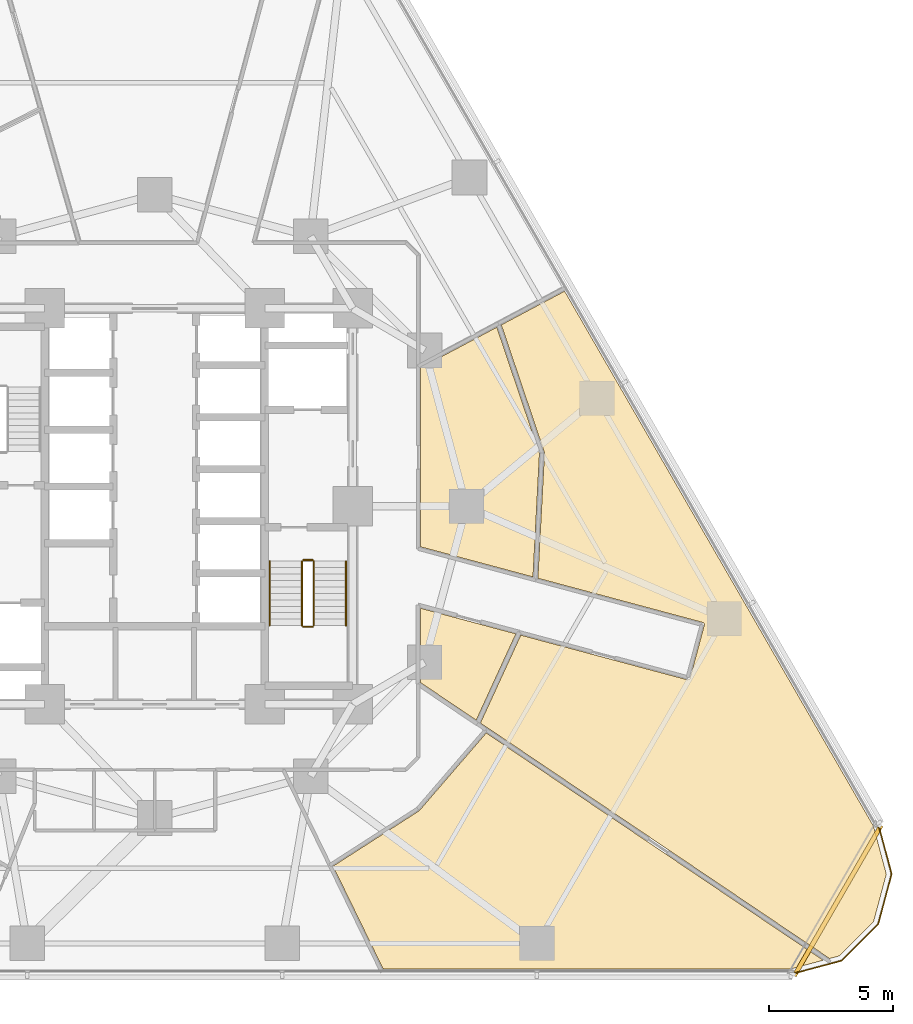
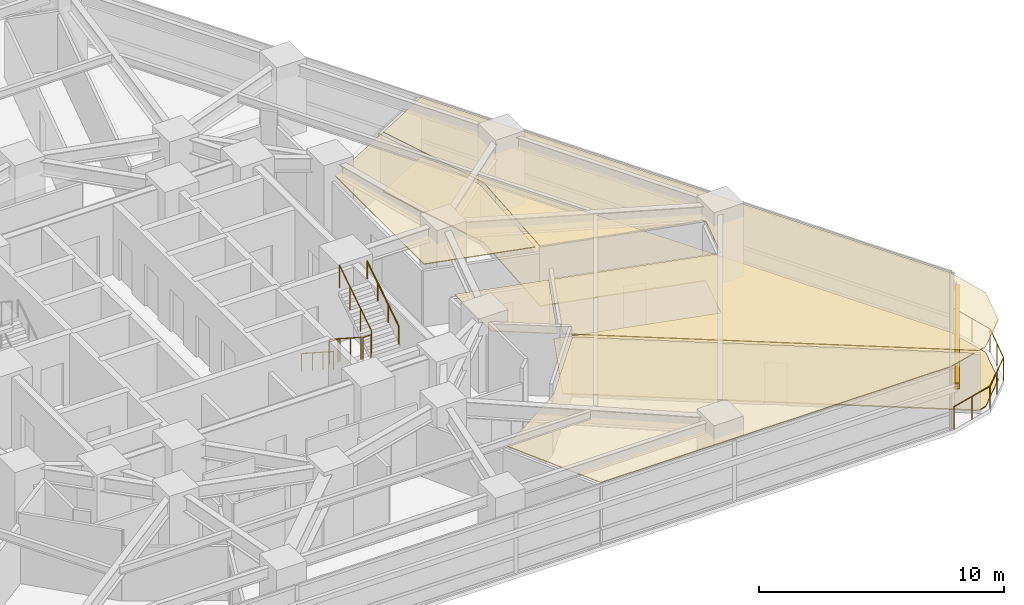
# One storey, part 15 of 16: 7 railings, 5 coverings, 1 shading device.
"""IFC4 building model written with IfcOpenShell, lengths in metres."""

from ifc_helpers import new_model, si_unit, direction, frame, origin, origin_2d, place, context, subcontext, project, spatial, polyline, rectangle, circle, outline, extrude, material, layer, layer_set, type_object, element, save


model = new_model("IFC4")

# Units and contexts
model_context = context("Model", 3, precision=1e-05, world=origin(), true_north=direction((0.0, 1.0)))
body_context = subcontext(model_context, "Body", "Model", "MODEL_VIEW")
ifc_project = project(units=[si_unit("LENGTHUNIT", "METRE"), si_unit("AREAUNIT", "SQUARE_METRE"), si_unit("VOLUMEUNIT", "CUBIC_METRE"), si_unit("PLANEANGLEUNIT", "RADIAN"), si_unit("MASSUNIT", "GRAM", prefix="KILO")], contexts=[model_context])

# Site, building, storey
site_placement = place(None, origin())
site = spatial("IfcSite", under=ifc_project, at=site_placement, CompositionType="ELEMENT")
building_placement = place(site_placement, origin())
building = spatial("IfcBuilding", under=site, at=building_placement, Name="Terralouvre Media Tower", CompositionType="ELEMENT")
storey_placement = place(building_placement, frame((0.0, 0.0, 40.800048828125)))
storey = spatial("IfcBuildingStorey", under=building, at=storey_placement, Name="L09", CompositionType="ELEMENT", Elevation=40.800048828125)

# Coverings
ifc_material_1 = material(Name="Resilient elastomer acoustic broadcast studio flooring")
ifc_layer_1 = layer(ifc_material_1, 0.050048828125, Name="Broadcast Studio Acoustic Floating Floor FL-AC1")
ifc_layer_set_1 = layer_set([ifc_layer_1], Name="Resilient elastomer acoustic broadcast studio flooring")
covering_type_1 = type_object("IfcCoveringType", Name="Broadcast Studio Acoustic Floating Floor FL-AC1", PredefinedType="FLOORING", material=ifc_layer_set_1)
covering_1_placement = place(storey_placement, origin())
element("IfcCovering", 1, at=covering_1_placement, inside=storey, type_object=covering_type_1, Name="L09 Creative Set Workshop 4 Acoustic Floating Floor", PredefinedType="FLOORING", context=body_context, shape_type="SweptSolid", body=[
    extrude(outline(polyline([(15.747802734375, 2.18505859375), (15.750244140625, 2.17578125), (15.752197265625, 2.16650390625), (15.7529296875, 2.1572265625), (15.7529296875, 2.147705078125), (15.487060546875, -2.907470703125), (22.140869140625, -4.6904296875), (22.150146484375, -4.693359375), (22.1591796875, -4.697265625), (22.167724609375, -4.7021484375), (22.17578125, -4.707763671875), (22.183349609375, -4.714111328125), (22.190185546875, -4.72119140625), (22.1962890625, -4.728759765625), (22.20166015625, -4.737060546875), (22.2060546875, -4.74560546875), (22.209716796875, -4.7548828125), (22.21240234375, -4.764404296875), (22.214111328125, -4.77392578125), (22.21484375, -4.78369140625), (22.21484375, -4.793701171875), (22.213623046875, -4.80322265625), (22.211669921875, -4.81298828125), (21.6416015625, -6.93798828125), (21.638671875, -6.947265625), (21.634765625, -6.956298828125), (21.6298828125, -6.96484375), (21.624267578125, -6.972900390625), (21.617919921875, -6.98046875), (21.61083984375, -6.9873046875), (21.603271484375, -6.993408203125), (21.594970703125, -6.99853515625), (21.586181640625, -7.003173828125), (21.5771484375, -7.006591796875), (21.567626953125, -7.009521484375), (21.55810546875, -7.010986328125), (21.54833984375, -7.011962890625), (21.538330078125, -7.01171875), (21.52880859375, -7.0107421875), (21.51904296875, -7.008544921875), (14.795654296875, -5.206298828125), (13.164306640625, -8.7587890625), (13.43994140625, -8.945068359375), (27.279052734375, -18.279541015625), (27.6611328125, -18.17724609375), (29.060302734375, -16.7783203125), (29.572509765625, -14.866943359375), (29.052734375, -12.926513671875), (16.568603515625, 8.6962890625), (14.0078125, 7.334716796875), (15.747802734375, 2.18505859375)])), origin(), (0.0, 0.0, 1.0), 0.050048828125),
])
ifc_material_2 = material(Name="Perforated aluminium acoustic ceiling baffle", Category="aluminium")
ifc_layer_2 = layer(ifc_material_2, 0.0400390625, Name="Perforated Acoustic Metal Tile Ceiling CL-AC1")
ifc_layer_set_2 = layer_set([ifc_layer_2], Name="Perforated aluminium acoustic ceiling baffle")
covering_type_2 = type_object("IfcCoveringType", Name="Perforated Acoustic Metal Tile Ceiling CL-AC1", PredefinedType="CEILING", material=ifc_layer_set_2)
covering_2_placement = place(storey_placement, frame((0.0, 0.0, 2.97998046875)))
element("IfcCovering", 2, at=covering_2_placement, inside=storey, type_object=covering_type_2, Name="L09 Preview Screening Cinema 3 Acoustic Ceiling", PredefinedType="CEILING", context=body_context, shape_type="SweptSolid", body=[
    extrude(outline(polyline([(14.599609375, -5.15380859375), (10.75, -4.122314453125), (10.75, -7.130859375), (12.996337890625, -8.645263671875), (14.599609375, -5.15380859375)])), origin(), (0.0, 0.0, 1.0), 0.0400390625),
])
covering_3_placement = place(storey_placement, frame((0.0, 0.0, 2.97998046875)))
element("IfcCovering", 3, at=covering_3_placement, inside=storey, type_object=covering_type_2, Name="L09 Creative Set Workshop 4 Acoustic Ceiling", PredefinedType="CEILING", context=body_context, shape_type="SweptSolid", body=[
    extrude(outline(polyline([(15.747802734375, 2.18505859375), (15.750244140625, 2.17578125), (15.752197265625, 2.16650390625), (15.7529296875, 2.1572265625), (15.7529296875, 2.147705078125), (15.487060546875, -2.907470703125), (22.140869140625, -4.6904296875), (22.150146484375, -4.693359375), (22.1591796875, -4.697265625), (22.167724609375, -4.7021484375), (22.17578125, -4.707763671875), (22.183349609375, -4.714111328125), (22.190185546875, -4.72119140625), (22.1962890625, -4.728759765625), (22.20166015625, -4.737060546875), (22.2060546875, -4.74560546875), (22.209716796875, -4.7548828125), (22.21240234375, -4.764404296875), (22.214111328125, -4.77392578125), (22.21484375, -4.78369140625), (22.21484375, -4.793701171875), (22.213623046875, -4.80322265625), (22.211669921875, -4.81298828125), (21.6416015625, -6.93798828125), (21.638671875, -6.947265625), (21.634765625, -6.956298828125), (21.6298828125, -6.96484375), (21.624267578125, -6.972900390625), (21.617919921875, -6.98046875), (21.61083984375, -6.9873046875), (21.603271484375, -6.993408203125), (21.594970703125, -6.99853515625), (21.586181640625, -7.003173828125), (21.5771484375, -7.006591796875), (21.567626953125, -7.009521484375), (21.55810546875, -7.010986328125), (21.54833984375, -7.011962890625), (21.538330078125, -7.01171875), (21.52880859375, -7.0107421875), (21.51904296875, -7.008544921875), (14.795654296875, -5.206298828125), (13.164306640625, -8.7587890625), (13.43994140625, -8.945068359375), (27.279052734375, -18.279541015625), (27.6611328125, -18.17724609375), (29.060302734375, -16.7783203125), (29.572509765625, -14.866943359375), (29.052734375, -12.926513671875), (16.568603515625, 8.6962890625), (14.0078125, 7.334716796875), (15.747802734375, 2.18505859375)])), origin(), (0.0, 0.0, 1.0), 0.0400390625),
])
covering_4_placement = place(storey_placement, frame((0.0, 0.0, 2.97998046875)))
element("IfcCovering", 4, at=covering_4_placement, inside=storey, type_object=covering_type_2, Name="L09 Editorial Collaborative Open Office 5 Acoustic Ceiling", PredefinedType="CEILING", context=body_context, shape_type="SweptSolid", body=[
    extrude(outline(polyline([(13.8291015625, 7.239501953125), (10.75, 5.602783203125), (10.75, -1.63818359375), (15.28955078125, -2.8544921875), (15.552001953125, 2.13916015625), (13.8291015625, 7.239501953125)])), origin(), (0.0, 0.0, 1.0), 0.0400390625),
])
covering_5_placement = place(storey_placement, frame((0.0, 0.0, 2.97998046875)))
element("IfcCovering", 5, at=covering_5_placement, inside=storey, type_object=covering_type_2, Name="L09 Production Catering Galley 10 Acoustic Ceiling", PredefinedType="CEILING", context=body_context, shape_type="SweptSolid", body=[
    extrude(outline(polyline([(10.703857421875, -12.291259765625), (10.697021484375, -12.298095703125), (10.68994140625, -12.304443359375), (10.68212890625, -12.31005859375), (7.205810546875, -14.5458984375), (9.23046875, -18.697021484375), (25.720703125, -18.697021484375), (27.023193359375, -18.34814453125), (13.401611328125, -9.16064453125), (10.703857421875, -12.291259765625)])), origin(), (0.0, 0.0, 1.0), 0.0400390625),
])

# Railings
ifc_material_3 = material(Name="Stainless steel 316 handrail and balustrade", Category="steel")
ifc_layer_3 = layer(ifc_material_3, 0.06005859375, Name="Roof Edge Safety Guardrail GR-ROOF1")
ifc_layer_set_3 = layer_set([ifc_layer_3], Name="Stainless steel 316 handrail and balustrade")
railing_type_1 = type_object("IfcRailingType", Name="Roof Edge Safety Guardrail GR-ROOF1", PredefinedType="GUARDRAIL", material=ifc_layer_set_3)
railing_1_placement = place(storey_placement, frame((25.73779296875, -18.907958984375, 0.0)))
element("IfcRailing", 6, at=railing_1_placement, inside=storey, type_object=railing_type_1, Name="L09 Wind-Corner Perimeter Safety Guardrail C1", PredefinedType="GUARDRAIL", context=body_context, shape_type="SweptSolid", body=[
    extrude(circle(Radius=0.02099609375, at=origin_2d()), frame((0.0, 0.0, 1.12890625), z_axis=(0.965987029675, 0.258590522836, 0.0), x_axis=(-0.258590522836, 0.965987029675, 0.0)), (0.0, 0.0, 1.0), 2.095947265625),
    extrude(circle(Radius=0.02099609375, at=origin_2d()), frame((2.024658203125, 0.5419921875, 1.12890625), z_axis=(0.707165029613, 0.707048527961, 0.0), x_axis=(-0.707048527961, 0.707165029613, 0.0)), (0.0, 0.0, 1.0), 2.095703125),
    extrude(circle(Radius=0.02099609375, at=origin_2d()), frame((3.506591796875, 2.023681640625, 1.12890625), z_axis=(0.258757438042, 0.965942331745, 0.0), x_axis=(-0.965942331745, 0.258757438042, 0.0)), (0.0, 0.0, 1.0), 2.095458984375),
    extrude(circle(Radius=0.02099609375, at=origin_2d()), frame((4.048828125, 4.0478515625, 1.12890625), z_axis=(-0.259054358605, 0.965862743503, 0.0), x_axis=(-0.965862743503, -0.259054358605, 0.0)), (0.0, 0.0, 1.0), 2.095947265625),
    extrude(circle(Radius=0.01904296875, at=origin_2d()), origin(), (0.0, 0.0, 1.0), 1.10791015625),
    extrude(circle(Radius=0.01904296875, at=origin_2d()), frame((1.01220703125, 0.27099609375, 0.0)), (0.0, 0.0, 1.0), 1.10791015625),
    extrude(circle(Radius=0.01904296875, at=origin_2d()), frame((2.024658203125, 0.5419921875, 0.0)), (0.0, 0.0, 1.0), 1.10791015625),
    extrude(circle(Radius=0.01904296875, at=origin_2d()), frame((2.765625, 1.28271484375, 0.0)), (0.0, 0.0, 1.0), 1.10791015625),
    extrude(circle(Radius=0.01904296875, at=origin_2d()), frame((3.506591796875, 2.023681640625, 0.0)), (0.0, 0.0, 1.0), 1.10791015625),
    extrude(circle(Radius=0.01904296875, at=origin_2d()), frame((3.77783203125, 3.03564453125, 0.0)), (0.0, 0.0, 1.0), 1.10791015625),
    extrude(circle(Radius=0.01904296875, at=origin_2d()), frame((4.048828125, 4.0478515625, 0.0)), (0.0, 0.0, 1.0), 1.10791015625),
    extrude(circle(Radius=0.01904296875, at=origin_2d()), frame((3.77734375, 5.06005859375, 0.0)), (0.0, 0.0, 1.0), 1.10791015625),
    extrude(circle(Radius=0.01904296875, at=origin_2d()), frame((3.505859375, 6.072265625, 0.0)), (0.0, 0.0, 1.0), 1.10791015625),
])
ifc_material_4 = material(Name="Stainless steel 316 handrail and balustrade", Category="steel")
ifc_layer_4 = layer(ifc_material_4, 0.050048828125, Name="Stair Flight Wall Handrail HR-INT1")
ifc_layer_set_4 = layer_set([ifc_layer_4], Name="Stainless steel 316 handrail and balustrade")
railing_type_2 = type_object("IfcRailingType", Name="Stair Flight Wall Handrail HR-INT1", PredefinedType="HANDRAIL", material=ifc_layer_set_4)
railing_2_placement = place(storey_placement, frame((4.64990234375, -2.219970703125, 0.168212890625)))
element("IfcRailing", 7, at=railing_2_placement, inside=storey, type_object=railing_type_2, Name="L09 ST-02 stair handrail 1", PredefinedType="HANDRAIL", context=body_context, shape_type="SweptSolid", body=[
    extrude(circle(Radius=0.02392578125, at=origin_2d()), frame((0.0, 0.0, 0.8759765625), z_axis=(0.0, -0.839684365666, 0.543074733399), x_axis=(1.0, 0.0, 0.0)), (0.0, 0.0, 1.0), 3.096435546875),
    extrude(circle(Radius=0.02099609375, at=origin_2d()), origin(), (0.0, 0.0, 1.0), 0.851806640625),
    extrude(circle(Radius=0.02099609375, at=origin_2d()), frame((0.0, -0.86669921875, 0.560546875)), (0.0, 0.0, 1.0), 0.851806640625),
    extrude(circle(Radius=0.02099609375, at=origin_2d()), frame((0.0, -1.7333984375, 1.12109375)), (0.0, 0.0, 1.0), 0.851806640625),
    extrude(circle(Radius=0.02099609375, at=origin_2d()), frame((0.0, -2.60009765625, 1.681640625)), (0.0, 0.0, 1.0), 0.851806640625),
])
railing_3_placement = place(storey_placement, frame((7.72998046875, -4.820068359375, 2.01806640625)))
element("IfcRailing", 8, at=railing_3_placement, inside=storey, type_object=railing_type_2, Name="L09 ST-02 stair handrail 2", PredefinedType="HANDRAIL", context=body_context, shape_type="SweptSolid", body=[
    extrude(circle(Radius=0.02392578125, at=origin_2d()), frame((0.0, 0.0, 0.8759765625), z_axis=(0.0, 0.839648411786, 0.543130320075), x_axis=(-1.0, 0.0, 0.0)), (0.0, 0.0, 1.0), 3.0966796875),
    extrude(circle(Radius=0.02099609375, at=origin_2d()), origin(), (0.0, 0.0, 1.0), 0.851806640625),
    extrude(circle(Radius=0.02099609375, at=origin_2d()), frame((0.0, 0.86669921875, 0.560546875)), (0.0, 0.0, 1.0), 0.851806640625),
    extrude(circle(Radius=0.02099609375, at=origin_2d()), frame((0.0, 1.7333984375, 1.121337890625)), (0.0, 0.0, 1.0), 0.851806640625),
    extrude(circle(Radius=0.02099609375, at=origin_2d()), frame((0.0, 2.60009765625, 1.681884765625)), (0.0, 0.0, 1.0), 0.851806640625),
])
ifc_material_5 = material(Name="Stainless steel 316 handrail and balustrade", Category="steel")
ifc_layer_5 = layer(ifc_material_5, 0.050048828125, Name="Stairwell Safety Guardrail GR-INT1")
ifc_layer_set_5 = layer_set([ifc_layer_5], Name="Stainless steel 316 handrail and balustrade")
railing_type_3 = type_object("IfcRailingType", Name="Stairwell Safety Guardrail GR-INT1", PredefinedType="GUARDRAIL", material=ifc_layer_set_5)
railing_4_placement = place(storey_placement, frame((5.949951171875, -2.219970703125, 0.168212890625)))
element("IfcRailing", 9, at=railing_4_placement, inside=storey, type_object=railing_type_3, Name="L09 ST-02 stair guard 1", PredefinedType="GUARDRAIL", context=body_context, shape_type="SweptSolid", body=[
    extrude(circle(Radius=0.02392578125, at=origin_2d()), frame((0.0, 0.0, 1.1259765625), z_axis=(0.0, -0.839684365666, 0.543074733399), x_axis=(1.0, 0.0, 0.0)), (0.0, 0.0, 1.0), 3.096435546875),
    extrude(circle(Radius=0.02099609375, at=origin_2d()), origin(), (0.0, 0.0, 1.0), 1.101806640625),
    extrude(circle(Radius=0.02099609375, at=origin_2d()), frame((0.0, -0.86669921875, 0.560546875)), (0.0, 0.0, 1.0), 1.101806640625),
    extrude(circle(Radius=0.02099609375, at=origin_2d()), frame((0.0, -1.7333984375, 1.12109375)), (0.0, 0.0, 1.0), 1.101806640625),
    extrude(circle(Radius=0.02099609375, at=origin_2d()), frame((0.0, -2.60009765625, 1.681640625)), (0.0, 0.0, 1.0), 1.101806640625),
])
railing_5_placement = place(storey_placement, frame((6.0, -4.8701171875, 1.849853515625)))
element("IfcRailing", 10, at=railing_5_placement, inside=storey, type_object=railing_type_3, Name="L09 ST-02 stair guard 2", PredefinedType="GUARDRAIL", context=body_context, shape_type="SweptSolid", body=[
    extrude(circle(Radius=0.02392578125, at=origin_2d()), frame((0.0, 0.0, 1.1259765625), z_axis=(1.0, 0.0, 0.0), x_axis=(0.0, 1.0, 0.0)), (0.0, 0.0, 1.0), 0.3798828125),
    extrude(circle(Radius=0.02099609375, at=origin_2d()), origin(), (0.0, 0.0, 1.0), 1.101806640625),
    extrude(circle(Radius=0.02099609375, at=origin_2d()), frame((0.3798828125, 0.0, 0.0)), (0.0, 0.0, 1.0), 1.101806640625),
])
railing_6_placement = place(storey_placement, frame((6.429931640625, -4.820068359375, 2.01806640625)))
element("IfcRailing", 11, at=railing_6_placement, inside=storey, type_object=railing_type_3, Name="L09 ST-02 stair guard 3", PredefinedType="GUARDRAIL", context=body_context, shape_type="SweptSolid", body=[
    extrude(circle(Radius=0.02392578125, at=origin_2d()), frame((0.0, 0.0, 1.1259765625), z_axis=(0.0, 0.839648411786, 0.543130320075), x_axis=(-1.0, 0.0, 0.0)), (0.0, 0.0, 1.0), 3.0966796875),
    extrude(circle(Radius=0.02099609375, at=origin_2d()), origin(), (0.0, 0.0, 1.0), 1.101806640625),
    extrude(circle(Radius=0.02099609375, at=origin_2d()), frame((0.0, 0.86669921875, 0.560546875)), (0.0, 0.0, 1.0), 1.101806640625),
    extrude(circle(Radius=0.02099609375, at=origin_2d()), frame((0.0, 1.7333984375, 1.121337890625)), (0.0, 0.0, 1.0), 1.101806640625),
    extrude(circle(Radius=0.02099609375, at=origin_2d()), frame((0.0, 2.60009765625, 1.681884765625)), (0.0, 0.0, 1.0), 1.101806640625),
])
railing_7_placement = place(storey_placement, frame((6.0, -2.169921875, 0.0)))
element("IfcRailing", 12, at=railing_7_placement, inside=storey, type_object=railing_type_3, Name="L09 ST-02 stair guard 4", PredefinedType="GUARDRAIL", context=body_context, shape_type="SweptSolid", body=[
    extrude(circle(Radius=0.02392578125, at=origin_2d()), frame((0.0, 0.0, 1.1259765625), z_axis=(1.0, 0.0, 0.0), x_axis=(0.0, 1.0, 0.0)), (0.0, 0.0, 1.0), 0.3798828125),
    extrude(circle(Radius=0.02099609375, at=origin_2d()), origin(), (0.0, 0.0, 1.0), 1.101806640625),
    extrude(circle(Radius=0.02099609375, at=origin_2d()), frame((0.3798828125, 0.0, 0.0)), (0.0, 0.0, 1.0), 1.101806640625),
])

# Shading device
ifc_material_6 = material(Name="Extruded terracotta baguette sunshade louvres", Category="masonry")
shading_device_type = type_object("IfcShadingDeviceType", Name="Terracotta Baguette Sunshade Louvre Screen TB-LV1", PredefinedType="USERDEFINED", material=ifc_material_6)
shading_device_placement = place(storey_placement, frame((27.607666015625, -15.939208984375, 2.02392578125), z_axis=(0.0, 0.0, 1.0), x_axis=(0.499999691503, 0.866025581895, 0.0)))
element("IfcShadingDevice", 13, at=shading_device_placement, inside=storey, type_object=shading_device_type, Name="CW-L09-C1 Terracotta Baguette Sunshade Louvre", ObjectType="BAGUETTE", PredefinedType="USERDEFINED", context=body_context, shape_type="SweptSolid", body=[
    extrude(rectangle(XDim=7.014892578125, YDim=0.179931640625, at=origin_2d()), origin(), (0.0, 0.0, 1.0), 0.280029296875),
])

save(model, "model.ifc")
